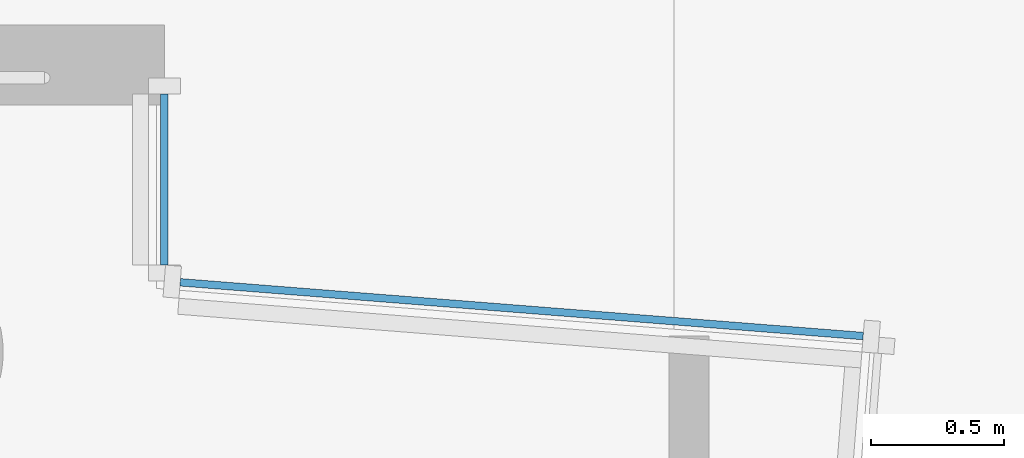
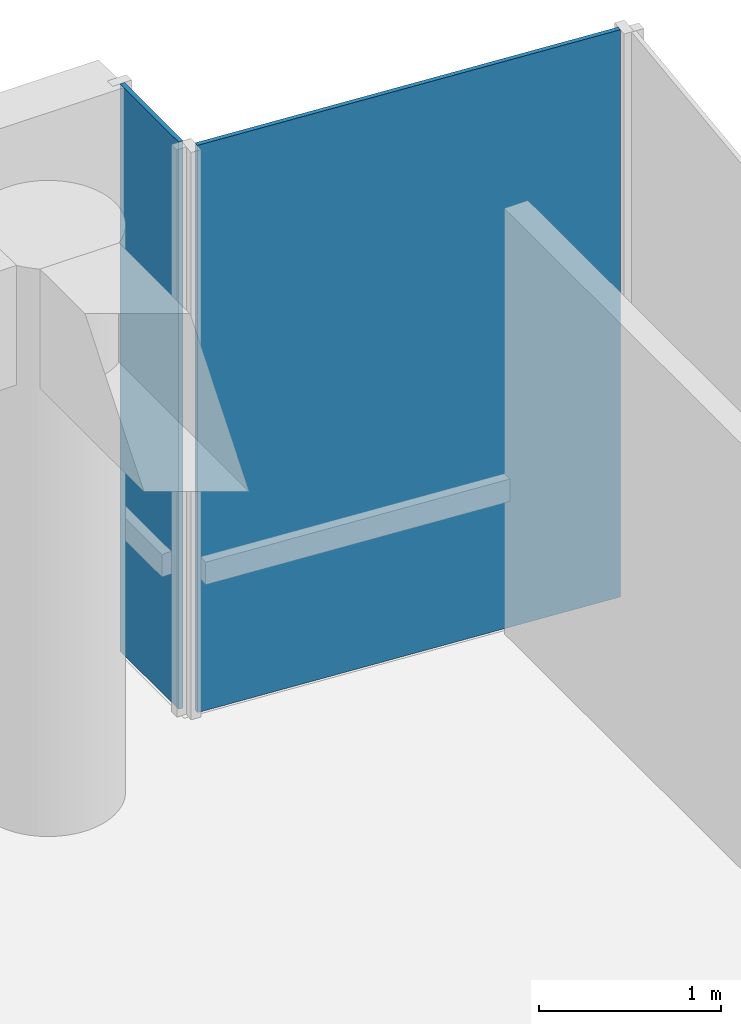
# One storey, part 16 of 22: 2 plates, 2 elements without a shape of their own.
"""IFC4 building model written with IfcOpenShell, lengths in metres."""

from ifc_helpers import new_model, si_unit, direction, frame, origin, origin_2d, place, context, subcontext, project, spatial, rectangle, extrude, material, layer, layer_set, type_object, element, aggregate, save


model = new_model("IFC4")

# Units and contexts
model_context = context("Model", 3, precision=1e-05, world=origin(), true_north=direction((0.0, 1.0)))
body_context = subcontext(model_context, "Body", "Model", "MODEL_VIEW")
ifc_project = project(units=[si_unit("LENGTHUNIT", "METRE"), si_unit("AREAUNIT", "SQUARE_METRE"), si_unit("VOLUMEUNIT", "CUBIC_METRE"), si_unit("PLANEANGLEUNIT", "RADIAN"), si_unit("MASSUNIT", "GRAM", prefix="KILO")], contexts=[model_context])

# Site, building, storey
site_placement = place(None, origin())
site = spatial("IfcSite", under=ifc_project, at=site_placement, CompositionType="ELEMENT")
building_placement = place(site_placement, origin())
building = spatial("IfcBuilding", under=site, at=building_placement, Name="Welwitschia Terrace Campus", CompositionType="ELEMENT")
storey_placement = place(building_placement, frame((0.0, 0.0, 268.39990234375)))
storey = spatial("IfcBuildingStorey", under=building, at=storey_placement, Name="L59", CompositionType="ELEMENT", Elevation=268.39990234375)

# Curtain wall, plate
ifc_material_1 = material(Name="Bronze anodised aluminium", Category="aluminium")
ifc_layer_1 = layer(ifc_material_1, 0.1201171875)
ifc_layer_set_1 = layer_set([ifc_layer_1], Name="Bronze anodised aluminium")
curtain_wall_type = type_object("IfcCurtainWallType", Name="Curtain wall CW2 tower 6000", PredefinedType="NOTDEFINED", material=ifc_layer_set_1)
curtain_wall_1_placement = place(storey_placement, origin())
curtain_wall_1 = element("IfcCurtainWall", 1, at=curtain_wall_1_placement, inside=storey, type_object=curtain_wall_type, Name="CW L59.9.0", PredefinedType="NOTDEFINED")
ifc_material_2 = material(Name="Tinted bronze-grey glass", Category="glass")
ifc_layer_2 = layer(ifc_material_2, 0.028076171875)
ifc_layer_set_2 = layer_set([ifc_layer_2], Name="Tinted bronze-grey glass")
plate_type = type_object("IfcPlateType", Name="Glass panel 28 tinted", PredefinedType="CURTAIN_PANEL", material=ifc_layer_set_2)
plate_1_placement = place(storey_placement, frame((26.371826171875, 62.161376953125, 0.0), z_axis=(0.0, 0.0, 1.0), x_axis=(-0.996917333733, 0.078459095728, 0.0)))
plate_1 = element("IfcPlate", 2, at=plate_1_placement, type_object=plate_type, Name="Panel L59.9.0.0", PredefinedType="CURTAIN_PANEL", context=body_context, shape_type="SweptSolid", body=[
    extrude(rectangle(XDim=2.572265625, YDim=0.028076171875, at=origin_2d()), origin(), (0.0, 0.0, 1.0), 3.800048828125),
])
aggregate(curtain_wall_1, [plate_1])

curtain_wall_2_placement = place(storey_placement, origin())
curtain_wall_2 = element("IfcCurtainWall", 3, at=curtain_wall_2_placement, inside=storey, type_object=curtain_wall_type, Name="CW L59.10.0", PredefinedType="NOTDEFINED")
plate_2_placement = place(storey_placement, frame((25.030029296875, 62.6484375, 0.0), z_axis=(0.0, 0.0, 1.0), x_axis=(0.0, 1.0, 0.0)))
plate_2 = element("IfcPlate", 4, at=plate_2_placement, type_object=plate_type, Name="Panel L59.10.0.0", PredefinedType="CURTAIN_PANEL", context=body_context, shape_type="SweptSolid", body=[
    extrude(rectangle(XDim=0.64306640625, YDim=0.028076171875, at=origin_2d()), origin(), (0.0, 0.0, 1.0), 3.800048828125),
])
aggregate(curtain_wall_2, [plate_2])

save(model, "model.ifc")
